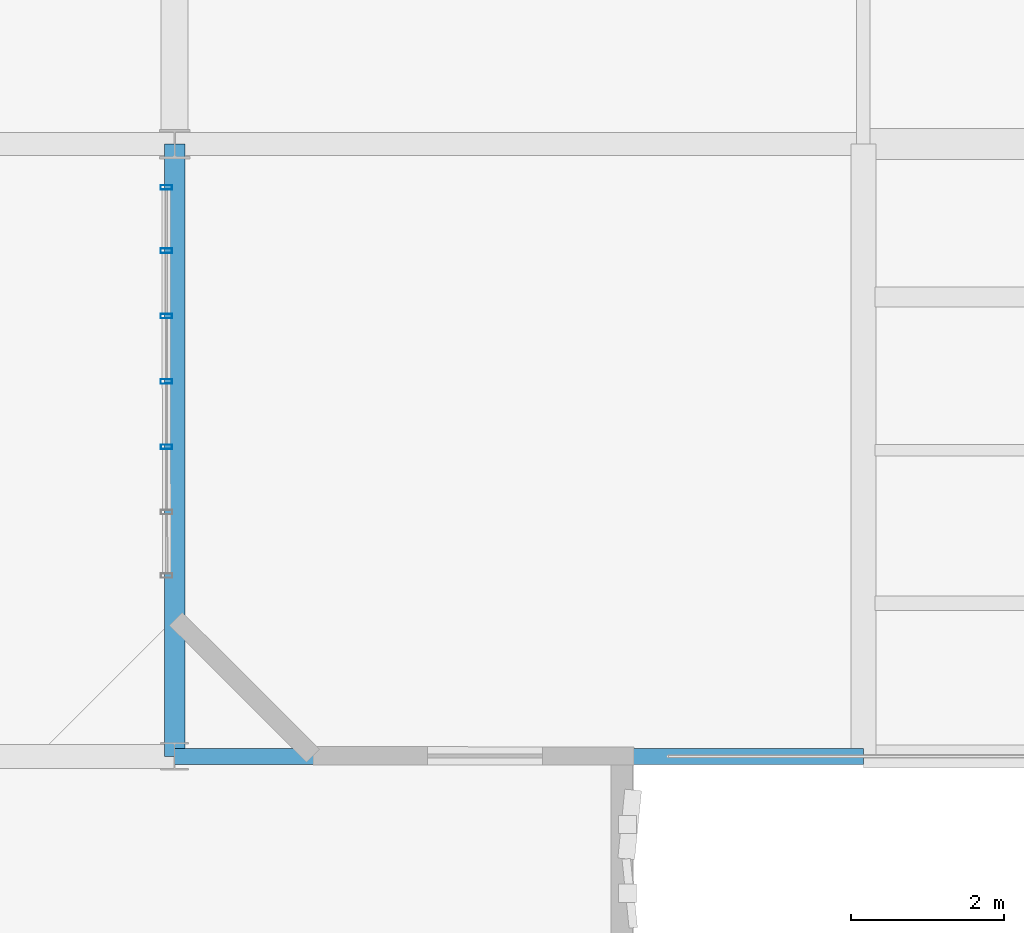
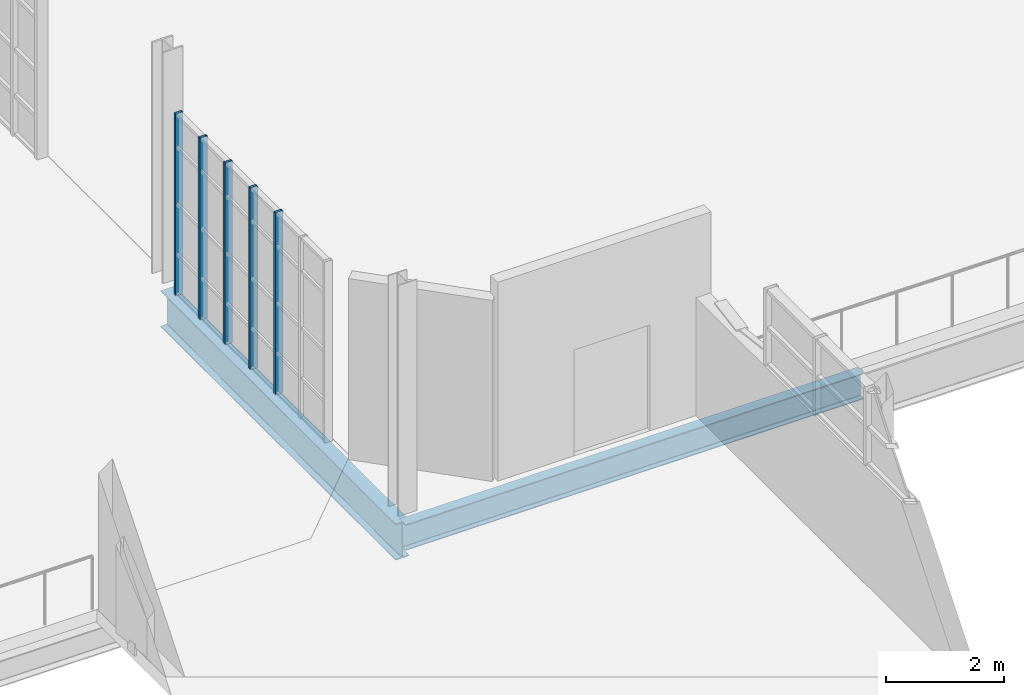
# One storey, part 38 of 85: 5 members, 2 beams, 1 element without a shape of its own.
"""IFC4 building model written with IfcOpenShell, lengths in metres."""

import ifcopenshell
import ifcopenshell.guid

model = None  # the IFC model being written
_history = None  # IfcOwnerHistory: only IFC2X3 demands one
_inside = {}  # id of a spatial element -> (the spatial element, [elements in it])
_under = {}  # id of a project, library or spatial element -> (it, [spatial elements below it])
_declared = {}  # id of a project -> (the project, [libraries it declares])
_typed = {}  # id of a type object -> (the type object, [elements of that type])
_made_of = {}  # id of a material, layer set ... -> (it, [elements and type objects made of it])


def new_model(schema):
    """Start an empty IFC model of exactly this schema.

    Asked for "IFC4X3", IfcOpenShell would pick the latest addendum, in which some entities
    have other attributes; the version numbers below select the first issue.
    IFC2X3 requires an IfcOwnerHistory on every rooted entity: one is made here for all.
    """
    global model, _history
    if schema == "IFC4X3":
        model = ifcopenshell.file(schema_version=(4, 3, 0, 0))
    else:
        model = ifcopenshell.file(schema=schema)
    _inside.clear()
    _under.clear()
    _declared.clear()
    _typed.clear()
    _made_of.clear()
    _history = None
    if model.schema == "IFC2X3":
        org = make("IfcOrganization", Name="unknown")
        user = make(
            "IfcPersonAndOrganization",
            ThePerson=make("IfcPerson", FamilyName="unknown"),
            TheOrganization=org,
        )
        app = make(
            "IfcApplication",
            ApplicationDeveloper=org,
            Version="unknown",
            ApplicationFullName="unknown",
            ApplicationIdentifier="unknown",
        )
        _history = make(
            "IfcOwnerHistory",
            OwningUser=user,
            OwningApplication=app,
            ChangeAction="ADDED",
            CreationDate=0,
        )
    return model


def make(cls, **values):
    """One entity of the class cls with the attributes given. An attribute that is None is left unset."""
    return model.create_entity(
        cls, **{name: value for name, value in values.items() if value is not None}
    )


def rooted(cls, **values):
    """An entity with a GlobalId (a new one), such as an element, a storey or a relation."""
    return make(cls, GlobalId=ifcopenshell.guid.new(), OwnerHistory=_history, **values)


def si_unit(unit_type, name, prefix=None):
    """IfcSIUnit, for example si_unit("LENGTHUNIT", "METRE", prefix="MILLI")."""
    return make("IfcSIUnit", UnitType=unit_type, Prefix=prefix, Name=name)


def assignment(units):
    """IfcUnitAssignment: the units of a project."""
    return None if units is None else make("IfcUnitAssignment", Units=units)


def point(xyz):
    """IfcCartesianPoint."""
    return None if xyz is None else make("IfcCartesianPoint", Coordinates=xyz)


def direction(xyz):
    """IfcDirection."""
    return None if xyz is None else make("IfcDirection", DirectionRatios=xyz)


def frame(location, z_axis=None, x_axis=None):
    """IfcAxis2Placement3D, a coordinate frame: its origin and axes. An axis left out is left unset."""
    return make(
        "IfcAxis2Placement3D",
        Location=point(location),
        Axis=direction(z_axis),
        RefDirection=direction(x_axis),
    )


def frame_2d(location, x_axis=None):
    """IfcAxis2Placement2D, a coordinate frame in the plane: its origin and x axis."""
    return make(
        "IfcAxis2Placement2D", Location=point(location), RefDirection=direction(x_axis)
    )


def origin():
    """The frame at (0, 0, 0) with its axes left unset."""
    return frame((0.0, 0.0, 0.0))


def origin_2d():
    """The frame at (0, 0) in the plane with its x axis left unset."""
    return frame_2d((0.0, 0.0))


def place(relative_to, where):
    """IfcLocalPlacement: puts the frame where relative to a parent placement (None: the world)."""
    return make(
        "IfcLocalPlacement", PlacementRelTo=relative_to, RelativePlacement=where
    )


def context(
    kind, dimensions, precision=None, world=None, true_north=None, identifier=None
):
    """IfcGeometricRepresentationContext, for example the 3D "Model" context."""
    return make(
        "IfcGeometricRepresentationContext",
        ContextIdentifier=identifier,
        ContextType=kind,
        CoordinateSpaceDimension=dimensions,
        Precision=precision,
        WorldCoordinateSystem=world,
        TrueNorth=true_north,
    )


def subcontext(parent, identifier, kind, view, scale=None):
    """IfcGeometricRepresentationSubContext, for example "Body" below "Model"."""
    return make(
        "IfcGeometricRepresentationSubContext",
        ContextIdentifier=identifier,
        ContextType=kind,
        ParentContext=parent,
        TargetScale=scale,
        TargetView=view,
    )


def project(units=None, contexts=None):
    """IfcProject with its units and contexts."""
    return rooted(
        "IfcProject",
        Name="project",
        RepresentationContexts=contexts,
        UnitsInContext=assignment(units),
    )


def spatial(cls, under=None, at=None, **own):
    """A site, building, storey or space (cls), placed at a placement, below another one or the project."""
    s = rooted(cls, ObjectPlacement=at, **own)
    if under is not None:
        _under.setdefault(under.id(), (under, []))[1].append(s)
    return s


def profile(cls, at=None, kind="AREA", **sizes):
    """A parametric profile (cls). Its sizes go by their IFC names, for example OverallWidth=200.0."""
    return make(cls, ProfileType=kind, Position=at, **sizes)


def hollow_rectangle(**sizes):
    """IfcRectangleHollowProfileDef."""
    return profile("IfcRectangleHollowProfileDef", **sizes)


def i_section(**sizes):
    """IfcIShapeProfileDef."""
    return profile("IfcIShapeProfileDef", **sizes)


def extrude(swept, where, along, depth):
    """IfcExtrudedAreaSolid: the profile swept, set in the frame where, extruded along a direction by depth."""
    return make(
        "IfcExtrudedAreaSolid",
        SweptArea=swept,
        Position=where,
        ExtrudedDirection=direction(along),
        Depth=depth,
    )


def shape(context_of_items, identifier, shape_type, items):
    """IfcShapeRepresentation: the items that make up one representation, for example the "Body"."""
    return make(
        "IfcShapeRepresentation",
        ContextOfItems=context_of_items,
        RepresentationIdentifier=identifier,
        RepresentationType=shape_type,
        Items=items,
    )


def material(Name=None, Category=None):
    """IfcMaterial."""
    return make("IfcMaterial", Name=Name, Category=Category)


def layer(
    of_material, thickness, ventilated=None, Name=None, Category=None, Priority=None
):
    """IfcMaterialLayer: one layer of a wall or slab, of a material (None: an air gap)."""
    return make(
        "IfcMaterialLayer",
        Material=of_material,
        LayerThickness=thickness,
        IsVentilated=ventilated,
        Name=Name,
        Category=Category,
        Priority=Priority,
    )


def layer_set(layers, Name=None):
    """IfcMaterialLayerSet."""
    return make("IfcMaterialLayerSet", MaterialLayers=layers, LayerSetName=Name)


def material_profile(
    of_material, cross_section, Name=None, Category=None, Priority=None
):
    """IfcMaterialProfile: a cross section and its material."""
    return make(
        "IfcMaterialProfile",
        Name=Name,
        Material=of_material,
        Profile=cross_section,
        Priority=Priority,
        Category=Category,
    )


def profile_set(profiles, Name=None, composite=None):
    """IfcMaterialProfileSet."""
    return make(
        "IfcMaterialProfileSet",
        Name=Name,
        MaterialProfiles=profiles,
        CompositeProfile=composite,
    )


def made_of(thing, what):
    """Note that an element or type object is made of a material, layer set ...; save() writes the relation."""
    if what is not None:
        _made_of.setdefault(what.id(), (what, []))[1].append(thing)
    return thing


def type_object(cls, material=None, **own):
    """A type object (cls), such as IfcWallType, which elements share."""
    return made_of(rooted(cls, **own), material)


def element(
    cls,
    number,
    at=None,
    inside=None,
    cuts=None,
    type_object=None,
    material=None,
    context=None,
    identifier="Body",
    shape_type=None,
    held_by="IfcProductDefinitionShape",
    body=None,
    shapes=None,
    **own,
):
    """One element of the class cls, such as IfcWall. Its Tag is "e" and its number.

    at: its placement. inside: the storey or other place that contains it. cuts: it is an
    opening in that element (IfcRelVoidsElement). A single representation is given by context,
    identifier, shape_type and body (its items); several are given by shapes. held_by: the class
    of the entity that holds the representations. save() writes the other relations.
    """
    e = rooted(cls, Tag="e%d" % number, ObjectPlacement=at, **own)
    if body is not None:
        shapes = [shape(context, identifier, shape_type, body)]
    if shapes is not None:
        e.Representation = make(held_by, Representations=shapes)
    if inside is not None:
        _inside.setdefault(inside.id(), (inside, []))[1].append(e)
    if cuts is not None:
        rooted(
            "IfcRelVoidsElement", RelatingBuildingElement=cuts, RelatedOpeningElement=e
        )
    if type_object is not None:
        _typed.setdefault(type_object.id(), (type_object, []))[1].append(e)
    return made_of(e, material)


def aggregate(whole, parts):
    """IfcRelAggregates: a whole, such as a stair, and the parts it consists of."""
    return rooted("IfcRelAggregates", RelatingObject=whole, RelatedObjects=parts)


def save(model, path):
    """Write the relations noted so far, then the file.

    IfcRelAggregates (storeys below a building ...), IfcRelContainedInSpatialStructure (elements
    in a storey), IfcRelDefinesByType, IfcRelAssociatesMaterial and IfcRelDeclares: one each for
    every whole, place, type object, material and project.
    """
    for whole, parts in _under.values():
        aggregate(whole, parts)
    for where, things in _inside.values():
        rooted(
            "IfcRelContainedInSpatialStructure",
            RelatedElements=things,
            RelatingStructure=where,
        )
    for kind, things in _typed.values():
        rooted("IfcRelDefinesByType", RelatedObjects=things, RelatingType=kind)
    for what, things in _made_of.values():
        rooted("IfcRelAssociatesMaterial", RelatedObjects=things, RelatingMaterial=what)
    for by, libraries in _declared.values():
        rooted("IfcRelDeclares", RelatingContext=by, RelatedDefinitions=libraries)
    model.write(path)


model = new_model("IFC4")

# Units and contexts
model_context = context("Model", 3, precision=1e-05, world=origin(), true_north=direction((0.0, 1.0)))
body_context = subcontext(model_context, "Body", "Model", "MODEL_VIEW")
ifc_project = project(units=[si_unit("LENGTHUNIT", "METRE"), si_unit("AREAUNIT", "SQUARE_METRE"), si_unit("VOLUMEUNIT", "CUBIC_METRE"), si_unit("PLANEANGLEUNIT", "RADIAN"), si_unit("MASSUNIT", "GRAM", prefix="KILO"), si_unit("THERMODYNAMICTEMPERATUREUNIT", "KELVIN"), si_unit("POWERUNIT", "WATT")], contexts=[model_context])

# Site, building, storey
site_placement = place(None, origin())
site = spatial("IfcSite", under=ifc_project, at=site_placement, CompositionType="ELEMENT")
building_placement = place(site_placement, origin())
building = spatial("IfcBuilding", under=site, at=building_placement, Name="Zelmaris Science Centre", CompositionType="ELEMENT")
storey_placement = place(building_placement, frame((0.0, 0.0, 20.39990234375)))
storey = spatial("IfcBuildingStorey", under=building, at=storey_placement, Name="L04", CompositionType="ELEMENT", Elevation=20.39990234375)

# Curtain wall, members
ifc_material_1 = material(Name="Anodised architectural aluminium 6063-T6", Category="aluminium")
ifc_layer = layer(ifc_material_1, 0.219970703125, Name="Anodised architectural aluminium 6063-T6")
ifc_layer_set = layer_set([ifc_layer], Name="Anodised architectural aluminium 6063-T6")
curtain_wall_type = type_object("IfcCurtainWallType", Name="Curtain Wall CW-04", PredefinedType="USERDEFINED", material=ifc_layer_set)
curtain_wall_placement = place(storey_placement, origin())
curtain_wall = element("IfcCurtainWall", 1, at=curtain_wall_placement, inside=storey, type_object=curtain_wall_type, Name="L04 Unitised curtain wall 348", ObjectType="GLAZED CURTAIN WALL", PredefinedType="USERDEFINED")
ifc_material_profile_1 = material_profile(ifc_material_1, hollow_rectangle(XDim=0.06005859375, YDim=0.14990234375, WallThickness=0.00341796875, at=origin_2d()), Name="ALU-MUL-60X150")
ifc_profile_set_1 = profile_set([ifc_material_profile_1], Name="Anodised architectural aluminium 6063-T6")
member_type = type_object("IfcMemberType", Name="ALU-MUL-60X150", PredefinedType="MULLION", material=ifc_profile_set_1)
member_1_placement = place(storey_placement, frame((80.891357421875, 71.433837890625, -0.014892578125), z_axis=(0.0, 0.0, 1.0), x_axis=(0.000771435453, -0.999999702444, 0.0)))
member_1 = element("IfcMember", 2, at=member_1_placement, type_object=member_type, Name="CW-04 mullion 1", PredefinedType="MULLION", context=body_context, shape_type="SweptSolid", body=[
    extrude(hollow_rectangle(XDim=0.06005859375, YDim=0.14990234375, WallThickness=0.00341796875, at=origin_2d()), origin(), (0.0, 0.0, 1.0), 3.77587890625),
])
member_2_placement = place(storey_placement, frame((80.891845703125, 70.60595703125, -0.014892578125), z_axis=(0.0, 0.0, 1.0), x_axis=(0.000771435453, -0.999999702444, 0.0)))
member_2 = element("IfcMember", 3, at=member_2_placement, type_object=member_type, Name="CW-04 mullion 2", PredefinedType="MULLION", context=body_context, shape_type="SweptSolid", body=[
    extrude(hollow_rectangle(XDim=0.06005859375, YDim=0.14990234375, WallThickness=0.00341796875, at=origin_2d()), origin(), (0.0, 0.0, 1.0), 3.77587890625),
])
member_3_placement = place(storey_placement, frame((80.892578125, 69.751953125, -0.014892578125), z_axis=(0.0, 0.0, 1.0), x_axis=(0.000771435453, -0.999999702444, 0.0)))
member_3 = element("IfcMember", 4, at=member_3_placement, type_object=member_type, Name="CW-04 mullion 3", PredefinedType="MULLION", context=body_context, shape_type="SweptSolid", body=[
    extrude(hollow_rectangle(XDim=0.06005859375, YDim=0.14990234375, WallThickness=0.00341796875, at=origin_2d()), origin(), (0.0, 0.0, 1.0), 3.77587890625),
])
member_4_placement = place(storey_placement, frame((80.893310546875, 68.898193359375, -0.014892578125), z_axis=(0.0, 0.0, 1.0), x_axis=(0.000771435453, -0.999999702444, 0.0)))
member_4 = element("IfcMember", 5, at=member_4_placement, type_object=member_type, Name="CW-04 mullion 4", PredefinedType="MULLION", context=body_context, shape_type="SweptSolid", body=[
    extrude(hollow_rectangle(XDim=0.06005859375, YDim=0.14990234375, WallThickness=0.00341796875, at=origin_2d()), origin(), (0.0, 0.0, 1.0), 3.77587890625),
])
member_5_placement = place(storey_placement, frame((80.89404296875, 68.044189453125, -0.014892578125), z_axis=(0.0, 0.0, 1.0), x_axis=(0.000771435453, -0.999999702444, 0.0)))
member_5 = element("IfcMember", 6, at=member_5_placement, type_object=member_type, Name="CW-04 mullion 5", PredefinedType="MULLION", context=body_context, shape_type="SweptSolid", body=[
    extrude(hollow_rectangle(XDim=0.06005859375, YDim=0.14990234375, WallThickness=0.00341796875, at=origin_2d()), origin(), (0.0, 0.0, 1.0), 3.77587890625),
])
aggregate(curtain_wall, [member_1, member_2, member_3, member_4, member_5])

# Beams
ifc_material_2 = material(Name="Steel ASTM A992 Grade 50", Category="steel")
ifc_material_profile_2 = material_profile(ifc_material_2, i_section(OverallWidth=0.2109375, OverallDepth=0.5380859375, WebThickness=0.01171875, FlangeThickness=0.018798828125, FilletRadius=0.013916015625, at=origin_2d()), Name="W21X73")
ifc_profile_set_2 = profile_set([ifc_material_profile_2], Name="Steel ASTM A992 Grade 50")
beam_type_1 = type_object("IfcBeamType", Name="Beam G-19 W21X73", PredefinedType="BEAM", material=ifc_profile_set_2)
beam_1_placement = place(storey_placement, frame((81.0, 64.0, -0.548828125), z_axis=(1.0, 0.0, 0.0), x_axis=(0.0, 1.0, 0.0)))
element("IfcBeam", 7, at=beam_1_placement, inside=storey, type_object=beam_type_1, Name="L04 East-west girder 849", PredefinedType="BEAM", context=body_context, shape_type="SweptSolid", body=[
    extrude(i_section(OverallWidth=0.2109375, OverallDepth=0.5380859375, WebThickness=0.01171875, FlangeThickness=0.018798828125, FilletRadius=0.013916015625, at=origin_2d()), origin(), (0.0, 0.0, 1.0), 9.0),
])
ifc_material_profile_3 = material_profile(ifc_material_2, i_section(OverallWidth=0.26708984375, OverallDepth=0.75390625, WebThickness=0.01318359375, FlangeThickness=0.01708984375, FilletRadius=0.01904296875, at=origin_2d()), Name="W30X99")
ifc_profile_set_3 = profile_set([ifc_material_profile_3], Name="Steel ASTM A992 Grade 50")
beam_type_2 = type_object("IfcBeamType", Name="Beam G-34 W30X99", PredefinedType="BEAM", material=ifc_profile_set_3)
beam_2_placement = place(storey_placement, frame((81.0, 64.0, -0.656982421875), z_axis=(0.0, 1.0, 0.0), x_axis=(-1.0, 0.0, 0.0)))
element("IfcBeam", 8, at=beam_2_placement, inside=storey, type_object=beam_type_2, Name="L04 North-south girder 829", PredefinedType="BEAM", context=body_context, shape_type="SweptSolid", body=[
    extrude(i_section(OverallWidth=0.26708984375, OverallDepth=0.75390625, WebThickness=0.01318359375, FlangeThickness=0.01708984375, FilletRadius=0.01904296875, at=origin_2d()), origin(), (0.0, 0.0, 1.0), 8.0),
])

save(model, "model.ifc")
